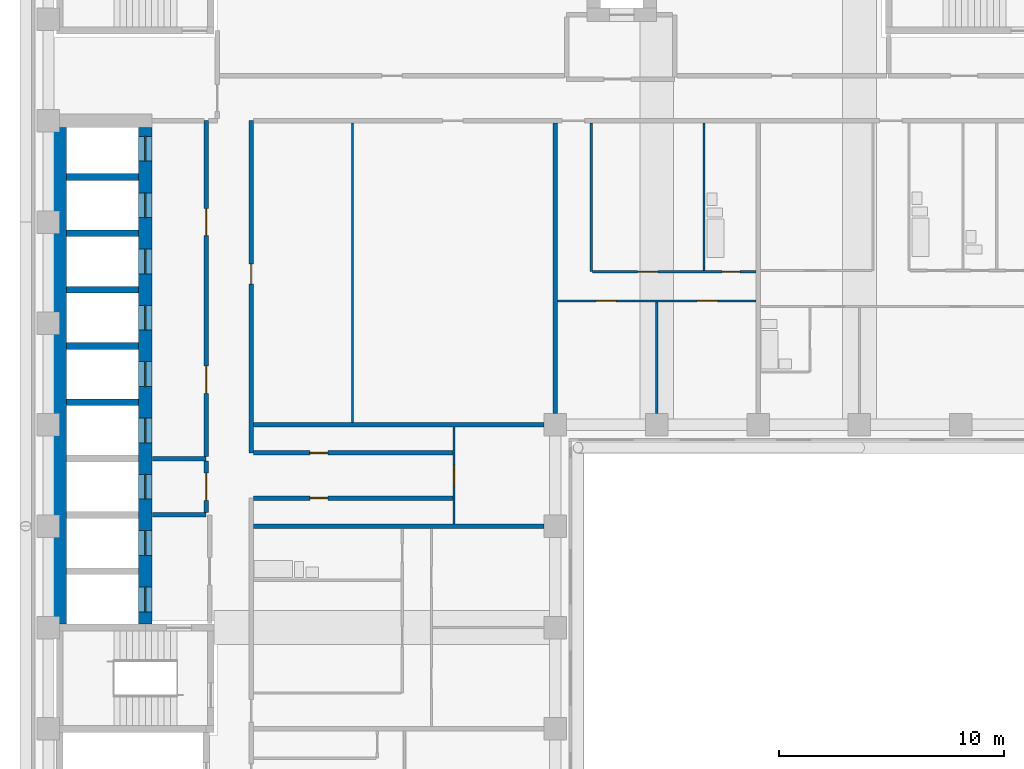
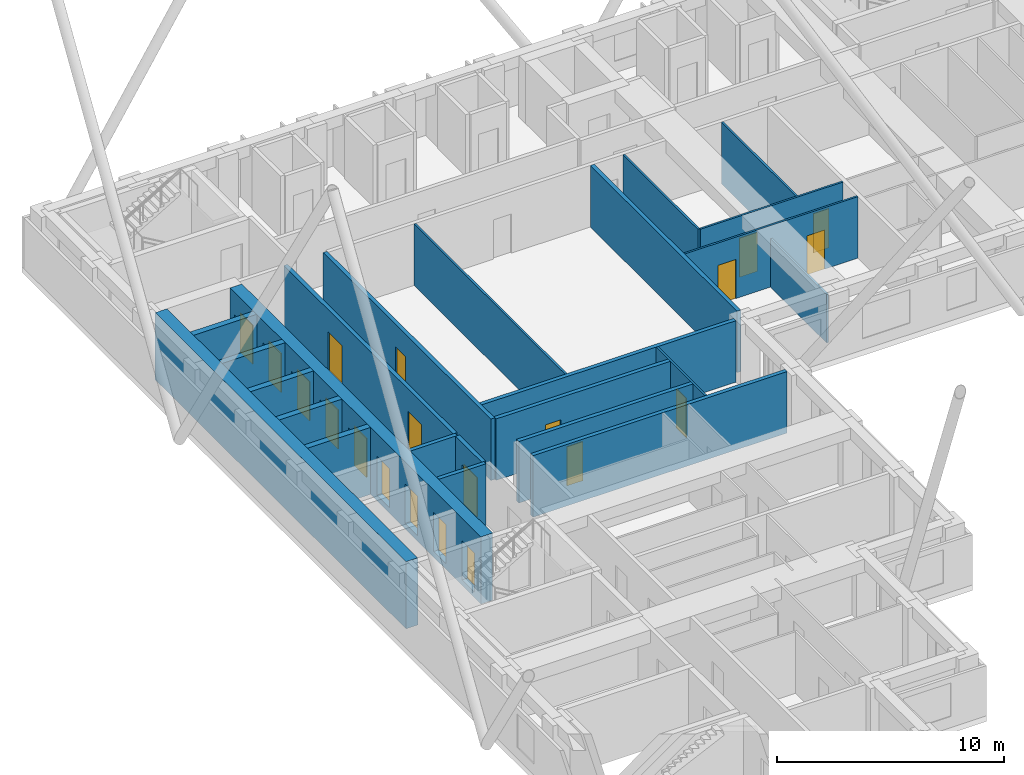
# One storey, part 5 of 13: 24 walls, 20 doors, 20 openings.
"""IFC4 building model written with IfcOpenShell, lengths in metres."""

from ifc_helpers import new_model, si_unit, direction, frame, frame_2d, origin, place, context, subcontext, project, spatial, rectangle, extrude, material, layer, layer_set, type_object, element, fill, save


model = new_model("IFC4")

# Units and contexts
model_context = context("Model", 3, precision=1e-05, world=origin(), true_north=direction((0.0, 1.0)))
body_context = subcontext(model_context, "Body", "Model", "MODEL_VIEW")
ifc_project = project(units=[si_unit("LENGTHUNIT", "METRE"), si_unit("AREAUNIT", "SQUARE_METRE"), si_unit("VOLUMEUNIT", "CUBIC_METRE"), si_unit("PLANEANGLEUNIT", "RADIAN"), si_unit("MASSUNIT", "GRAM", prefix="KILO")], contexts=[model_context])

# Site, building, storey
site_placement = place(None, origin())
site = spatial("IfcSite", under=ifc_project, at=site_placement, CompositionType="ELEMENT")
building_placement = place(site_placement, origin())
building = spatial("IfcBuilding", under=site, at=building_placement, Name="Firuza Court", CompositionType="ELEMENT")
storey_placement = place(building_placement, frame((0.0, 0.0, 119.60009765625)))
storey = spatial("IfcBuildingStorey", under=building, at=storey_placement, Name="L29", CompositionType="ELEMENT", Elevation=119.60009765625)

# Walls
ifc_material_1 = material(Name="Moisture-resistant gypsum board partition")
ifc_layer_1 = layer(ifc_material_1, 0.10009765625)
ifc_layer_set_1 = layer_set([ifc_layer_1], Name="Moisture-resistant gypsum board partition")
wall_type_1 = type_object("IfcWallType", Name="Bathroom partition 100", PredefinedType="PLUMBINGWALL", material=ifc_layer_set_1)
wall_1_placement = place(storey_placement, frame((29.10009765625, 42.85009765625, 0.0), z_axis=(0.0, 0.0, 1.0), x_axis=(0.0, 1.0, 0.0)))
element("IfcWall", 1, at=wall_1_placement, inside=storey, type_object=wall_type_1, Name="Bathroom partition 100 L29", PredefinedType="PLUMBINGWALL", context=body_context, shape_type="SweptSolid", body=[
    extrude(rectangle(XDim=6.5498046875, YDim=0.10009765625, at=frame_2d((3.27490234375, 0.0))), origin(), (0.0, 0.0, 1.0), 3.2998046875),
])
ifc_material_2 = material(Name="Concrete C60/75", Category="concrete")
ifc_layer_2 = layer(ifc_material_2, 0.300048828125)
ifc_layer_set_2 = layer_set([ifc_layer_2], Name="Concrete C60/75")
wall_type_2 = type_object("IfcWallType", Name="Core wall 300 C60/75", PredefinedType="SHEAR", material=ifc_layer_set_2)
for number, where, z_axis, x_axis, name in (
    (2, (0.800048828125, 37.0, -0.300048828125), (0.0, 0.0, 1.0), (1.0, 0.0, 0.0), "Core wall lift shaft L29"),
    (3, (0.800048828125, 39.5, -0.300048828125), (0.0, 0.0, 1.0), (1.0, 0.0, 0.0), "Core wall lift shaft L29"),
    (4, (0.800048828125, 42.0, -0.300048828125), (0.0, 0.0, 1.0), (1.0, 0.0, 0.0), "Core wall lift shaft L29"),
    (5, (0.800048828125, 44.5, -0.300048828125), (0.0, 0.0, 1.0), (1.0, 0.0, 0.0), "Core wall lift shaft L29"),
    (6, (0.800048828125, 47.0, -0.300048828125), (0.0, 0.0, 1.0), (1.0, 0.0, 0.0), "Core wall lift shaft L29"),
):
    element("IfcWall", number, at=place(storey_placement, frame(where, z_axis=z_axis, x_axis=x_axis)), inside=storey, type_object=wall_type_2, Name=name, PredefinedType="SHEAR", context=body_context, shape_type="SweptSolid", body=[
        extrude(rectangle(XDim=3.199951171875, YDim=0.300048828125, at=frame_2d((1.60009765625, 0.0))), origin(), (0.0, 0.0, 1.0), 3.599853515625),
    ])
ifc_layer_3 = layer(ifc_material_2, 0.60009765625)
ifc_layer_set_3 = layer_set([ifc_layer_3], Name="Concrete C60/75")
wall_type_3 = type_object("IfcWallType", Name="Core wall 600 C60/75", PredefinedType="SHEAR", material=ifc_layer_set_3)
wall_2_placement = place(storey_placement, frame((0.5, 27.14990234375, -0.300048828125), z_axis=(0.0, 0.0, 1.0), x_axis=(0.0, 1.0, 0.0)))
element("IfcWall", 7, at=wall_2_placement, inside=storey, type_object=wall_type_3, Name="Core wall lift shaft L29", PredefinedType="SHEAR", context=body_context, shape_type="SweptSolid", body=[
    extrude(rectangle(XDim=22.050048828125, YDim=0.60009765625, at=frame_2d((11.02490234375, 0.0))), origin(), (0.0, 0.0, 1.0), 3.599853515625),
])

# Wall, openings, doors
wall_3_placement = place(storey_placement, frame((4.300048828125, 27.14990234375, -0.300048828125), z_axis=(0.0, 0.0, 1.0), x_axis=(0.0, 1.0, 0.0)))
wall_3 = element("IfcWall", 8, at=wall_3_placement, inside=storey, type_object=wall_type_3, Name="Core wall lift shaft L29", PredefinedType="SHEAR", context=body_context, shape_type="SweptSolid", body=[
    extrude(rectangle(XDim=22.050048828125, YDim=0.60009765625, at=frame_2d((11.02490234375, 0.0))), origin(), (0.0, 0.0, 1.0), 3.599853515625),
])
opening_1_placement = place(wall_3_placement, frame((3.050048828125, 0.0, 0.300048828125)))
opening_1 = element("IfcOpeningElement", 9, at=opening_1_placement, cuts=wall_3, Name="Opening LD-FL1-29", PredefinedType="OPENING", context=body_context, shape_type="SweptSolid", body=[
    extrude(rectangle(XDim=1.10009765625, YDim=2.10009765625, at=frame_2d((0.550048828125, 1.050048828125))), frame((0.0, 0.31201171875, 0.0), z_axis=(0.0, -1.0, 0.0), x_axis=(1.0, 0.0, 0.0)), (0.0, 0.0, 1.0), 0.6240234375),
])
opening_2_placement = place(wall_3_placement, frame((0.550048828125, 0.0, 0.300048828125)))
opening_2 = element("IfcOpeningElement", 10, at=opening_2_placement, cuts=wall_3, Name="Opening LD-FL2-29", PredefinedType="OPENING", context=body_context, shape_type="SweptSolid", body=[
    extrude(rectangle(XDim=1.10009765625, YDim=2.10009765625, at=frame_2d((0.550048828125, 1.050048828125))), frame((0.0, 0.31201171875, 0.0), z_axis=(0.0, -1.0, 0.0), x_axis=(1.0, 0.0, 0.0)), (0.0, 0.0, 1.0), 0.6240234375),
])
opening_3_placement = place(wall_3_placement, frame((20.550048828125, 0.0, 0.300048828125)))
opening_3 = element("IfcOpeningElement", 11, at=opening_3_placement, cuts=wall_3, Name="Opening LD-HB1-29", PredefinedType="OPENING", context=body_context, shape_type="SweptSolid", body=[
    extrude(rectangle(XDim=1.10009765625, YDim=2.10009765625, at=frame_2d((0.550048828125, 1.050048828125))), frame((0.0, 0.31201171875, 0.0), z_axis=(0.0, -1.0, 0.0), x_axis=(1.0, 0.0, 0.0)), (0.0, 0.0, 1.0), 0.6240234375),
])
opening_4_placement = place(wall_3_placement, frame((18.050048828125, 0.0, 0.300048828125)))
opening_4 = element("IfcOpeningElement", 12, at=opening_4_placement, cuts=wall_3, Name="Opening LD-HB2-29", PredefinedType="OPENING", context=body_context, shape_type="SweptSolid", body=[
    extrude(rectangle(XDim=1.10009765625, YDim=2.10009765625, at=frame_2d((0.550048828125, 1.050048828125))), frame((0.0, 0.31201171875, 0.0), z_axis=(0.0, -1.0, 0.0), x_axis=(1.0, 0.0, 0.0)), (0.0, 0.0, 1.0), 0.6240234375),
])
opening_5_placement = place(wall_3_placement, frame((15.550048828125, 0.0, 0.300048828125)))
opening_5 = element("IfcOpeningElement", 13, at=opening_5_placement, cuts=wall_3, Name="Opening LD-HB3-29", PredefinedType="OPENING", context=body_context, shape_type="SweptSolid", body=[
    extrude(rectangle(XDim=1.10009765625, YDim=2.10009765625, at=frame_2d((0.550048828125, 1.050048828125))), frame((0.0, 0.31201171875, 0.0), z_axis=(0.0, -1.0, 0.0), x_axis=(1.0, 0.0, 0.0)), (0.0, 0.0, 1.0), 0.6240234375),
])
opening_6_placement = place(wall_3_placement, frame((13.050048828125, 0.0, 0.300048828125)))
opening_6 = element("IfcOpeningElement", 14, at=opening_6_placement, cuts=wall_3, Name="Opening LD-HB4-29", PredefinedType="OPENING", context=body_context, shape_type="SweptSolid", body=[
    extrude(rectangle(XDim=1.10009765625, YDim=2.10009765625, at=frame_2d((0.550048828125, 1.050048828125))), frame((0.0, 0.31201171875, 0.0), z_axis=(0.0, -1.0, 0.0), x_axis=(1.0, 0.0, 0.0)), (0.0, 0.0, 1.0), 0.6240234375),
])
opening_7_placement = place(wall_3_placement, frame((10.550048828125, 0.0, 0.300048828125)))
opening_7 = element("IfcOpeningElement", 15, at=opening_7_placement, cuts=wall_3, Name="Opening LD-HB5-29", PredefinedType="OPENING", context=body_context, shape_type="SweptSolid", body=[
    extrude(rectangle(XDim=1.10009765625, YDim=2.10009765625, at=frame_2d((0.550048828125, 1.050048828125))), frame((0.0, 0.31201171875, 0.0), z_axis=(0.0, -1.0, 0.0), x_axis=(1.0, 0.0, 0.0)), (0.0, 0.0, 1.0), 0.6240234375),
])
opening_8_placement = place(wall_3_placement, frame((8.050048828125, 0.0, 0.300048828125)))
opening_8 = element("IfcOpeningElement", 16, at=opening_8_placement, cuts=wall_3, Name="Opening LD-HB6-29", PredefinedType="OPENING", context=body_context, shape_type="SweptSolid", body=[
    extrude(rectangle(XDim=1.10009765625, YDim=2.10009765625, at=frame_2d((0.550048828125, 1.050048828125))), frame((0.0, 0.31201171875, 0.0), z_axis=(0.0, -1.0, 0.0), x_axis=(1.0, 0.0, 0.0)), (0.0, 0.0, 1.0), 0.6240234375),
])
opening_9_placement = place(wall_3_placement, frame((5.550048828125, 0.0, 0.300048828125)))
opening_9 = element("IfcOpeningElement", 17, at=opening_9_placement, cuts=wall_3, Name="Opening LD-SL1-29", PredefinedType="OPENING", context=body_context, shape_type="SweptSolid", body=[
    extrude(rectangle(XDim=1.10009765625, YDim=2.10009765625, at=frame_2d((0.550048828125, 1.050048828125))), frame((0.0, 0.31201171875, 0.0), z_axis=(0.0, -1.0, 0.0), x_axis=(1.0, 0.0, 0.0)), (0.0, 0.0, 1.0), 0.6240234375),
])
ifc_material_3 = material(Name="Stainless steel 1.4301 door leaf", Category="steel")
door_type_1 = type_object("IfcDoorType", Name="Lift landing door 1100", OperationType="SLIDING_TO_LEFT", PredefinedType="DOOR", material=ifc_material_3)
door_1_placement = place(opening_1_placement, origin())
door_1 = element("IfcDoor", 18, at=door_1_placement, inside=storey, type_object=door_type_1, Name="Landing door FL1", OperationType="SLIDING_TO_LEFT", OverallHeight=2.10009765625, OverallWidth=1.10009765625, PredefinedType="DOOR", context=body_context, shape_type="SweptSolid", body=[
    extrude(rectangle(XDim=1.10009765625, YDim=2.10009765625, at=frame_2d((0.550048828125, 1.050048828125))), frame((0.0, 0.02490234375, 0.0), z_axis=(0.0, -1.0, 0.0), x_axis=(1.0, 0.0, 0.0)), (0.0, 0.0, 1.0), 0.050048828125),
])
fill(opening_1, door_1)
door_2_placement = place(opening_2_placement, origin())
door_2 = element("IfcDoor", 19, at=door_2_placement, inside=storey, type_object=door_type_1, Name="Landing door FL2", OperationType="SLIDING_TO_LEFT", OverallHeight=2.10009765625, OverallWidth=1.10009765625, PredefinedType="DOOR", context=body_context, shape_type="SweptSolid", body=[
    extrude(rectangle(XDim=1.10009765625, YDim=2.10009765625, at=frame_2d((0.550048828125, 1.050048828125))), frame((0.0, 0.02490234375, 0.0), z_axis=(0.0, -1.0, 0.0), x_axis=(1.0, 0.0, 0.0)), (0.0, 0.0, 1.0), 0.050048828125),
])
fill(opening_2, door_2)
door_3_placement = place(opening_3_placement, origin())
door_3 = element("IfcDoor", 20, at=door_3_placement, inside=storey, type_object=door_type_1, Name="Landing door HB1", OperationType="SLIDING_TO_LEFT", OverallHeight=2.10009765625, OverallWidth=1.10009765625, PredefinedType="DOOR", context=body_context, shape_type="SweptSolid", body=[
    extrude(rectangle(XDim=1.10009765625, YDim=2.10009765625, at=frame_2d((0.550048828125, 1.050048828125))), frame((0.0, 0.02490234375, 0.0), z_axis=(0.0, -1.0, 0.0), x_axis=(1.0, 0.0, 0.0)), (0.0, 0.0, 1.0), 0.050048828125),
])
fill(opening_3, door_3)
door_4_placement = place(opening_4_placement, origin())
door_4 = element("IfcDoor", 21, at=door_4_placement, inside=storey, type_object=door_type_1, Name="Landing door HB2", OperationType="SLIDING_TO_LEFT", OverallHeight=2.10009765625, OverallWidth=1.10009765625, PredefinedType="DOOR", context=body_context, shape_type="SweptSolid", body=[
    extrude(rectangle(XDim=1.10009765625, YDim=2.10009765625, at=frame_2d((0.550048828125, 1.050048828125))), frame((0.0, 0.02490234375, 0.0), z_axis=(0.0, -1.0, 0.0), x_axis=(1.0, 0.0, 0.0)), (0.0, 0.0, 1.0), 0.050048828125),
])
fill(opening_4, door_4)
door_5_placement = place(opening_5_placement, origin())
door_5 = element("IfcDoor", 22, at=door_5_placement, inside=storey, type_object=door_type_1, Name="Landing door HB3", OperationType="SLIDING_TO_LEFT", OverallHeight=2.10009765625, OverallWidth=1.10009765625, PredefinedType="DOOR", context=body_context, shape_type="SweptSolid", body=[
    extrude(rectangle(XDim=1.10009765625, YDim=2.10009765625, at=frame_2d((0.550048828125, 1.050048828125))), frame((0.0, 0.02490234375, 0.0), z_axis=(0.0, -1.0, 0.0), x_axis=(1.0, 0.0, 0.0)), (0.0, 0.0, 1.0), 0.050048828125),
])
fill(opening_5, door_5)
door_6_placement = place(opening_6_placement, origin())
door_6 = element("IfcDoor", 23, at=door_6_placement, inside=storey, type_object=door_type_1, Name="Landing door HB4", OperationType="SLIDING_TO_LEFT", OverallHeight=2.10009765625, OverallWidth=1.10009765625, PredefinedType="DOOR", context=body_context, shape_type="SweptSolid", body=[
    extrude(rectangle(XDim=1.10009765625, YDim=2.10009765625, at=frame_2d((0.550048828125, 1.050048828125))), frame((0.0, 0.02490234375, 0.0), z_axis=(0.0, -1.0, 0.0), x_axis=(1.0, 0.0, 0.0)), (0.0, 0.0, 1.0), 0.050048828125),
])
fill(opening_6, door_6)
door_7_placement = place(opening_7_placement, origin())
door_7 = element("IfcDoor", 24, at=door_7_placement, inside=storey, type_object=door_type_1, Name="Landing door HB5", OperationType="SLIDING_TO_LEFT", OverallHeight=2.10009765625, OverallWidth=1.10009765625, PredefinedType="DOOR", context=body_context, shape_type="SweptSolid", body=[
    extrude(rectangle(XDim=1.10009765625, YDim=2.10009765625, at=frame_2d((0.550048828125, 1.050048828125))), frame((0.0, 0.02490234375, 0.0), z_axis=(0.0, -1.0, 0.0), x_axis=(1.0, 0.0, 0.0)), (0.0, 0.0, 1.0), 0.050048828125),
])
fill(opening_7, door_7)
door_8_placement = place(opening_8_placement, origin())
door_8 = element("IfcDoor", 25, at=door_8_placement, inside=storey, type_object=door_type_1, Name="Landing door HB6", OperationType="SLIDING_TO_LEFT", OverallHeight=2.10009765625, OverallWidth=1.10009765625, PredefinedType="DOOR", context=body_context, shape_type="SweptSolid", body=[
    extrude(rectangle(XDim=1.10009765625, YDim=2.10009765625, at=frame_2d((0.550048828125, 1.050048828125))), frame((0.0, 0.02490234375, 0.0), z_axis=(0.0, -1.0, 0.0), x_axis=(1.0, 0.0, 0.0)), (0.0, 0.0, 1.0), 0.050048828125),
])
fill(opening_8, door_8)
door_9_placement = place(opening_9_placement, origin())
door_9 = element("IfcDoor", 26, at=door_9_placement, inside=storey, type_object=door_type_1, Name="Landing door SL1", OperationType="SLIDING_TO_LEFT", OverallHeight=2.10009765625, OverallWidth=1.10009765625, PredefinedType="DOOR", context=body_context, shape_type="SweptSolid", body=[
    extrude(rectangle(XDim=1.10009765625, YDim=2.10009765625, at=frame_2d((0.550048828125, 1.050048828125))), frame((0.0, 0.02490234375, 0.0), z_axis=(0.0, -1.0, 0.0), x_axis=(1.0, 0.0, 0.0)), (0.0, 0.0, 1.0), 0.050048828125),
])
fill(opening_9, door_9)

# Wall, opening, door
ifc_material_4 = material(Name="Blockwork, plastered both sides", Category="masonry")
ifc_layer_4 = layer(ifc_material_4, 0.199951171875)
ifc_layer_set_4 = layer_set([ifc_layer_4], Name="Blockwork, plastered both sides")
wall_type_4 = type_object("IfcWallType", Name="Corridor wall 200", PredefinedType="PARTITIONING", material=ifc_layer_set_4)
wall_4_placement = place(storey_placement, frame((9.10009765625, 32.75, 0.0), z_axis=(0.0, 0.0, 1.0), x_axis=(1.0, 0.0, 0.0)))
wall_4 = element("IfcWall", 27, at=wall_4_placement, inside=storey, type_object=wall_type_4, Name="Corridor wall 200 L29", PredefinedType="PARTITIONING", context=body_context, shape_type="SweptSolid", body=[
    extrude(rectangle(XDim=8.849853515625, YDim=0.199951171875, at=frame_2d((4.4248046875, 0.0))), origin(), (0.0, 0.0, 1.0), 3.2998046875),
])
opening_10_placement = place(wall_4_placement, frame((2.5, 0.0, 0.0)))
opening_10 = element("IfcOpeningElement", 28, at=opening_10_placement, cuts=wall_4, Name="Opening D29035", PredefinedType="OPENING", context=body_context, shape_type="SweptSolid", body=[
    extrude(rectangle(XDim=0.800048828125, YDim=2.10009765625, at=frame_2d((0.39990234375, 1.050048828125))), frame((0.0, 0.11181640625, 0.0), z_axis=(0.0, -1.0, 0.0), x_axis=(1.0, 0.0, 0.0)), (0.0, 0.0, 1.0), 0.223876953125),
])
ifc_material_5 = material(Name="Timber door leaf in hardwood frame", Category="wood")
door_type_2 = type_object("IfcDoorType", Name="Room door 800 EI 30", OperationType="SINGLE_SWING_LEFT", PredefinedType="DOOR", material=ifc_material_5)
door_10_placement = place(opening_10_placement, frame((0.800048828125, 0.0, 0.0), z_axis=(0.0, 0.0, 1.0), x_axis=(-1.0, 0.0, 0.0)))
door_10 = element("IfcDoor", 29, at=door_10_placement, inside=storey, type_object=door_type_2, Name="Store door", OperationType="SINGLE_SWING_RIGHT", OverallHeight=2.10009765625, OverallWidth=0.800048828125, PredefinedType="DOOR", context=body_context, shape_type="SweptSolid", body=[
    extrude(rectangle(XDim=0.800048828125, YDim=2.10009765625, at=frame_2d((0.39990234375, 1.050048828125))), frame((0.0, 0.02490234375, 0.0), z_axis=(0.0, -1.0, 0.0), x_axis=(1.0, 0.0, 0.0)), (0.0, 0.0, 1.0), 0.050048828125),
])
fill(opening_10, door_10)

wall_5_placement = place(storey_placement, frame((9.0, 34.75, 0.0), z_axis=(0.0, 0.0, 1.0), x_axis=(0.0, 1.0, 0.0)))
wall_5 = element("IfcWall", 30, at=wall_5_placement, inside=storey, type_object=wall_type_4, Name="Corridor wall 200 L29", PredefinedType="PARTITIONING", context=body_context, shape_type="SweptSolid", body=[
    extrude(rectangle(XDim=14.75, YDim=0.199951171875, at=frame_2d((7.375, 0.0))), origin(), (0.0, 0.0, 1.0), 3.2998046875),
])
opening_11_placement = place(wall_5_placement, frame((7.5, 0.0, 0.0)))
opening_11 = element("IfcOpeningElement", 31, at=opening_11_placement, cuts=wall_5, Name="Opening D29036", PredefinedType="OPENING", context=body_context, shape_type="SweptSolid", body=[
    extrude(rectangle(XDim=0.89990234375, YDim=2.10009765625, at=frame_2d((0.449951171875, 1.050048828125))), frame((0.0, 0.11181640625, 0.0), z_axis=(0.0, -1.0, 0.0), x_axis=(1.0, 0.0, 0.0)), (0.0, 0.0, 1.0), 0.223876953125),
])
ifc_material_6 = material(Name="Timber door leaf in hardwood frame", Category="wood")
door_type_3 = type_object("IfcDoorType", Name="Room door 900 EI 30", OperationType="SINGLE_SWING_LEFT", PredefinedType="DOOR", material=ifc_material_6)
door_11_placement = place(opening_11_placement, origin())
door_11 = element("IfcDoor", 32, at=door_11_placement, inside=storey, type_object=door_type_3, Name="Residents' lounge door", OperationType="SINGLE_SWING_LEFT", OverallHeight=2.10009765625, OverallWidth=0.89990234375, PredefinedType="DOOR", context=body_context, shape_type="SweptSolid", body=[
    extrude(rectangle(XDim=0.89990234375, YDim=2.10009765625, at=frame_2d((0.449951171875, 1.050048828125))), frame((0.0, 0.02490234375, 0.0), z_axis=(0.0, -1.0, 0.0), x_axis=(1.0, 0.0, 0.0)), (0.0, 0.0, 1.0), 0.050048828125),
])
fill(opening_11, door_11)

wall_6_placement = place(storey_placement, frame((9.10009765625, 34.75, 0.0), z_axis=(0.0, 0.0, 1.0), x_axis=(1.0, 0.0, 0.0)))
wall_6 = element("IfcWall", 33, at=wall_6_placement, inside=storey, type_object=wall_type_4, Name="Corridor wall 200 L29", PredefinedType="PARTITIONING", context=body_context, shape_type="SweptSolid", body=[
    extrude(rectangle(XDim=8.849853515625, YDim=0.199951171875, at=frame_2d((4.4248046875, 0.0))), origin(), (0.0, 0.0, 1.0), 3.2998046875),
])
opening_12_placement = place(wall_6_placement, frame((2.5, 0.0, 0.0)))
opening_12 = element("IfcOpeningElement", 34, at=opening_12_placement, cuts=wall_6, Name="Opening D29037", PredefinedType="OPENING", context=body_context, shape_type="SweptSolid", body=[
    extrude(rectangle(XDim=0.800048828125, YDim=2.10009765625, at=frame_2d((0.39990234375, 1.050048828125))), frame((0.0, 0.11181640625, 0.0), z_axis=(0.0, -1.0, 0.0), x_axis=(1.0, 0.0, 0.0)), (0.0, 0.0, 1.0), 0.223876953125),
])
door_12_placement = place(opening_12_placement, origin())
door_12 = element("IfcDoor", 35, at=door_12_placement, inside=storey, type_object=door_type_2, Name="Store door", OperationType="SINGLE_SWING_LEFT", OverallHeight=2.10009765625, OverallWidth=0.800048828125, PredefinedType="DOOR", context=body_context, shape_type="SweptSolid", body=[
    extrude(rectangle(XDim=0.800048828125, YDim=2.10009765625, at=frame_2d((0.39990234375, 1.050048828125))), frame((0.0, 0.02490234375, 0.0), z_axis=(0.0, -1.0, 0.0), x_axis=(1.0, 0.0, 0.0)), (0.0, 0.0, 1.0), 0.050048828125),
])
fill(opening_12, door_12)

ifc_material_7 = material(Name="Timber stud partition, plasterboard both sides", Category="wood")
ifc_layer_5 = layer(ifc_material_7, 0.10009765625)
ifc_layer_set_5 = layer_set([ifc_layer_5], Name="Timber stud partition, plasterboard both sides")
wall_type_5 = type_object("IfcWallType", Name="Partition wall 100", PredefinedType="PARTITIONING", material=ifc_layer_set_5)
wall_7_placement = place(storey_placement, frame((18.0, 31.60009765625, 0.0), z_axis=(0.0, 0.0, 1.0), x_axis=(0.0, 1.0, 0.0)))
wall_7 = element("IfcWall", 36, at=wall_7_placement, inside=storey, type_object=wall_type_5, Name="Partition wall 100 L29", PredefinedType="PARTITIONING", context=body_context, shape_type="SweptSolid", body=[
    extrude(rectangle(XDim=4.2998046875, YDim=0.10009765625, at=frame_2d((2.14990234375, 0.0))), origin(), (0.0, 0.0, 1.0), 3.2998046875),
])
opening_13_placement = place(wall_7_placement, frame((1.699951171875, 0.0, 0.0)))
opening_13 = element("IfcOpeningElement", 37, at=opening_13_placement, cuts=wall_7, Name="Opening D29034", PredefinedType="OPENING", context=body_context, shape_type="SweptSolid", body=[
    extrude(rectangle(XDim=0.89990234375, YDim=2.10009765625, at=frame_2d((0.449951171875, 1.050048828125))), frame((0.0, 0.06201171875, 0.0), z_axis=(0.0, -1.0, 0.0), x_axis=(1.0, 0.0, 0.0)), (0.0, 0.0, 1.0), 0.1240234375),
])
ifc_material_8 = material(Name="Timber door leaf in hardwood frame", Category="wood")
door_type_4 = type_object("IfcDoorType", Name="Room door 900", OperationType="SINGLE_SWING_LEFT", PredefinedType="DOOR", material=ifc_material_8)
door_13_placement = place(opening_13_placement, origin())
door_13 = element("IfcDoor", 38, at=door_13_placement, inside=storey, type_object=door_type_4, Name="Residents' lounge door", OperationType="SINGLE_SWING_LEFT", OverallHeight=2.10009765625, OverallWidth=0.89990234375, PredefinedType="DOOR", context=body_context, shape_type="SweptSolid", body=[
    extrude(rectangle(XDim=0.89990234375, YDim=2.10009765625, at=frame_2d((0.449951171875, 1.050048828125))), frame((0.0, 0.02490234375, 0.0), z_axis=(0.0, -1.0, 0.0), x_axis=(1.0, 0.0, 0.0)), (0.0, 0.0, 1.0), 0.050048828125),
])
fill(opening_13, door_13)

# Walls
wall_8_placement = place(storey_placement, frame((13.5, 36.10009765625, 0.0), z_axis=(0.0, 0.0, 1.0), x_axis=(0.0, 1.0, 0.0)))
element("IfcWall", 39, at=wall_8_placement, inside=storey, type_object=wall_type_5, Name="Partition wall 100 L29", PredefinedType="PARTITIONING", context=body_context, shape_type="SweptSolid", body=[
    extrude(rectangle(XDim=13.2998046875, YDim=0.10009765625, at=frame_2d((6.64990234375, 0.0))), origin(), (0.0, 0.0, 1.0), 3.2998046875),
])
wall_9_placement = place(storey_placement, frame((27.0, 36.5, 0.0), z_axis=(0.0, 0.0, 1.0), x_axis=(0.0, 1.0, 0.0)))
element("IfcWall", 40, at=wall_9_placement, inside=storey, type_object=wall_type_5, Name="Partition wall 100 L29", PredefinedType="PARTITIONING", context=body_context, shape_type="SweptSolid", body=[
    extrude(rectangle(XDim=4.949951171875, YDim=0.10009765625, at=frame_2d((2.47509765625, 0.0))), origin(), (0.0, 0.0, 1.0), 2.599853515625),
])

# Wall, openings, doors
wall_10_placement = place(storey_placement, frame((22.60009765625, 41.5, 0.0), z_axis=(0.0, 0.0, 1.0), x_axis=(1.0, 0.0, 0.0)))
wall_10 = element("IfcWall", 41, at=wall_10_placement, inside=storey, type_object=wall_type_5, Name="Partition wall 100 L29", PredefinedType="PARTITIONING", context=body_context, shape_type="SweptSolid", body=[
    extrude(rectangle(XDim=8.7998046875, YDim=0.10009765625, at=frame_2d((4.39990234375, 0.0))), origin(), (0.0, 0.0, 1.0), 3.2998046875),
])
opening_14_placement = place(wall_10_placement, frame((1.699951171875, 0.0, 0.0)))
opening_14 = element("IfcOpeningElement", 42, at=opening_14_placement, cuts=wall_10, Name="Opening D29050", PredefinedType="OPENING", context=body_context, shape_type="SweptSolid", body=[
    extrude(rectangle(XDim=0.89990234375, YDim=2.10009765625, at=frame_2d((0.449951171875, 1.050048828125))), frame((0.0, 0.06201171875, 0.0), z_axis=(0.0, -1.0, 0.0), x_axis=(1.0, 0.0, 0.0)), (0.0, 0.0, 1.0), 0.1240234375),
])
opening_15_placement = place(wall_10_placement, frame((6.199951171875, 0.0, 0.0)))
opening_15 = element("IfcOpeningElement", 43, at=opening_15_placement, cuts=wall_10, Name="Opening D29051", PredefinedType="OPENING", context=body_context, shape_type="SweptSolid", body=[
    extrude(rectangle(XDim=0.89990234375, YDim=2.10009765625, at=frame_2d((0.449951171875, 1.050048828125))), frame((0.0, 0.06201171875, 0.0), z_axis=(0.0, -1.0, 0.0), x_axis=(1.0, 0.0, 0.0)), (0.0, 0.0, 1.0), 0.1240234375),
])
door_14_placement = place(opening_14_placement, frame((0.89990234375, 0.0, 0.0), z_axis=(0.0, 0.0, 1.0), x_axis=(-1.0, 0.0, 0.0)))
door_14 = element("IfcDoor", 44, at=door_14_placement, inside=storey, type_object=door_type_4, Name="Bedroom door", OperationType="SINGLE_SWING_RIGHT", OverallHeight=2.10009765625, OverallWidth=0.89990234375, PredefinedType="DOOR", context=body_context, shape_type="SweptSolid", body=[
    extrude(rectangle(XDim=0.89990234375, YDim=2.10009765625, at=frame_2d((0.449951171875, 1.050048828125))), frame((0.0, 0.02490234375, 0.0), z_axis=(0.0, -1.0, 0.0), x_axis=(1.0, 0.0, 0.0)), (0.0, 0.0, 1.0), 0.050048828125),
])
fill(opening_14, door_14)
door_15_placement = place(opening_15_placement, frame((0.89990234375, 0.0, 0.0), z_axis=(0.0, 0.0, 1.0), x_axis=(-1.0, 0.0, 0.0)))
door_15 = element("IfcDoor", 45, at=door_15_placement, inside=storey, type_object=door_type_4, Name="Living room door", OperationType="SINGLE_SWING_RIGHT", OverallHeight=2.10009765625, OverallWidth=0.89990234375, PredefinedType="DOOR", context=body_context, shape_type="SweptSolid", body=[
    extrude(rectangle(XDim=0.89990234375, YDim=2.10009765625, at=frame_2d((0.449951171875, 1.050048828125))), frame((0.0, 0.02490234375, 0.0), z_axis=(0.0, -1.0, 0.0), x_axis=(1.0, 0.0, 0.0)), (0.0, 0.0, 1.0), 0.050048828125),
])
fill(opening_15, door_15)

# Wall
wall_11_placement = place(storey_placement, frame((24.10009765625, 42.800048828125, 0.0), z_axis=(0.0, 0.0, 1.0), x_axis=(0.0, 1.0, 0.0)))
element("IfcWall", 46, at=wall_11_placement, inside=storey, type_object=wall_type_5, Name="Partition wall 100 L29", PredefinedType="PARTITIONING", context=body_context, shape_type="SweptSolid", body=[
    extrude(rectangle(XDim=6.599853515625, YDim=0.10009765625, at=frame_2d((3.2998046875, 0.0))), origin(), (0.0, 0.0, 1.0), 3.2998046875),
])

# Wall, openings, doors
wall_12_placement = place(storey_placement, frame((24.14990234375, 42.800048828125, 0.0), z_axis=(0.0, 0.0, 1.0), x_axis=(1.0, 0.0, 0.0)))
wall_12 = element("IfcWall", 47, at=wall_12_placement, inside=storey, type_object=wall_type_5, Name="Partition wall 100 L29", PredefinedType="PARTITIONING", context=body_context, shape_type="SweptSolid", body=[
    extrude(rectangle(XDim=7.25, YDim=0.10009765625, at=frame_2d((3.625, 0.0))), origin(), (0.0, 0.0, 1.0), 3.2998046875),
])
opening_16_placement = place(wall_12_placement, frame((5.75, 0.0, 0.0)))
opening_16 = element("IfcOpeningElement", 48, at=opening_16_placement, cuts=wall_12, Name="Opening D29053", PredefinedType="OPENING", context=body_context, shape_type="SweptSolid", body=[
    extrude(rectangle(XDim=0.800048828125, YDim=2.10009765625, at=frame_2d((0.39990234375, 1.050048828125))), frame((0.0, 0.06201171875, 0.0), z_axis=(0.0, -1.0, 0.0), x_axis=(1.0, 0.0, 0.0)), (0.0, 0.0, 1.0), 0.1240234375),
])
opening_17_placement = place(wall_12_placement, frame((2.0, 0.0, 0.0)))
opening_17 = element("IfcOpeningElement", 49, at=opening_17_placement, cuts=wall_12, Name="Opening D29054", PredefinedType="OPENING", context=body_context, shape_type="SweptSolid", body=[
    extrude(rectangle(XDim=0.89990234375, YDim=2.10009765625, at=frame_2d((0.449951171875, 1.050048828125))), frame((0.0, 0.06201171875, 0.0), z_axis=(0.0, -1.0, 0.0), x_axis=(1.0, 0.0, 0.0)), (0.0, 0.0, 1.0), 0.1240234375),
])
ifc_material_9 = material(Name="Timber door leaf in hardwood frame", Category="wood")
door_type_5 = type_object("IfcDoorType", Name="Bathroom door 800", OperationType="SINGLE_SWING_LEFT", PredefinedType="DOOR", material=ifc_material_9)
door_16_placement = place(opening_16_placement, origin())
door_16 = element("IfcDoor", 50, at=door_16_placement, inside=storey, type_object=door_type_5, Name="Bathroom door", OperationType="SINGLE_SWING_LEFT", OverallHeight=2.10009765625, OverallWidth=0.800048828125, PredefinedType="DOOR", context=body_context, shape_type="SweptSolid", body=[
    extrude(rectangle(XDim=0.800048828125, YDim=2.10009765625, at=frame_2d((0.39990234375, 1.050048828125))), frame((0.0, 0.02490234375, 0.0), z_axis=(0.0, -1.0, 0.0), x_axis=(1.0, 0.0, 0.0)), (0.0, 0.0, 1.0), 0.050048828125),
])
fill(opening_16, door_16)
door_17_placement = place(opening_17_placement, origin())
door_17 = element("IfcDoor", 51, at=door_17_placement, inside=storey, type_object=door_type_4, Name="Kitchen door", OperationType="SINGLE_SWING_LEFT", OverallHeight=2.10009765625, OverallWidth=0.89990234375, PredefinedType="DOOR", context=body_context, shape_type="SweptSolid", body=[
    extrude(rectangle(XDim=0.89990234375, YDim=2.10009765625, at=frame_2d((0.449951171875, 1.050048828125))), frame((0.0, 0.02490234375, 0.0), z_axis=(0.0, -1.0, 0.0), x_axis=(1.0, 0.0, 0.0)), (0.0, 0.0, 1.0), 0.050048828125),
])
fill(opening_17, door_17)

# Walls
ifc_layer_6 = layer(ifc_material_4, 0.199951171875)
ifc_layer_set_6 = layer_set([ifc_layer_6], Name="Blockwork, plastered both sides")
wall_type_6 = type_object("IfcWallType", Name="Party wall 200", PredefinedType="PARTITIONING", material=ifc_layer_set_6)
for number, where, z_axis, x_axis, name in (
    (52, (9.10009765625, 31.5, 0.0), (0.0, 0.0, 1.0), (1.0, 0.0, 0.0), "Party wall 200 L29"),
    (53, (9.10009765625, 36.0, 0.0), (0.0, 0.0, 1.0), (1.0, 0.0, 0.0), "Party wall 200 L29"),
    (54, (22.5, 36.5, 0.0), (0.0, 0.0, 1.0), (0.0, 1.0, 0.0), "Party wall 200 L29"),
):
    element("IfcWall", number, at=place(storey_placement, frame(where, z_axis=z_axis, x_axis=x_axis)), inside=storey, type_object=wall_type_6, Name=name, PredefinedType="PARTITIONING", context=body_context, shape_type="SweptSolid", body=[
        extrude(rectangle(XDim=12.89990234375, YDim=0.199951171875, at=frame_2d((6.449951171875, 0.0))), origin(), (0.0, 0.0, 1.0), 3.2998046875),
    ])
ifc_material_10 = material(Name="Blockwork, fire-rated", Category="masonry")
ifc_layer_7 = layer(ifc_material_10, 0.199951171875)
ifc_layer_set_7 = layer_set([ifc_layer_7], Name="Blockwork, fire-rated")
wall_type_7 = type_object("IfcWallType", Name="Shaft wall 200", PredefinedType="PARTITIONING", material=ifc_layer_set_7)
wall_13_placement = place(storey_placement, frame((4.6201171875, 34.5, 0.0), z_axis=(0.0, 0.0, 1.0), x_axis=(1.0, 0.0, 0.0)))
element("IfcWall", 55, at=wall_13_placement, inside=storey, type_object=wall_type_7, Name="Shaft wall 200 L29", PredefinedType="PARTITIONING", context=body_context, shape_type="SweptSolid", body=[
    extrude(rectangle(XDim=2.3798828125, YDim=0.199951171875, at=frame_2d((1.18994140625, 0.0))), origin(), (0.0, 0.0, 1.0), 3.2998046875),
])

# Wall, openings, doors
wall_14_placement = place(storey_placement, frame((7.0, 34.60009765625, 0.0), z_axis=(0.0, 0.0, 1.0), x_axis=(0.0, 1.0, 0.0)))
wall_14 = element("IfcWall", 56, at=wall_14_placement, inside=storey, type_object=wall_type_7, Name="Shaft wall 200 L29", PredefinedType="PARTITIONING", context=body_context, shape_type="SweptSolid", body=[
    extrude(rectangle(XDim=14.89990234375, YDim=0.199951171875, at=frame_2d((7.449951171875, 0.0))), origin(), (0.0, 0.0, 1.0), 3.2998046875),
])
opening_18_placement = place(wall_14_placement, frame((2.800048828125, 0.0, 0.0)))
opening_18 = element("IfcOpeningElement", 57, at=opening_18_placement, cuts=wall_14, Name="Opening D29004", PredefinedType="OPENING", context=body_context, shape_type="SweptSolid", body=[
    extrude(rectangle(XDim=1.199951171875, YDim=2.10009765625, at=frame_2d((0.60009765625, 1.050048828125))), frame((0.0, 0.11181640625, 0.0), z_axis=(0.0, -1.0, 0.0), x_axis=(1.0, 0.0, 0.0)), (0.0, 0.0, 1.0), 0.223876953125),
])
opening_19_placement = place(wall_14_placement, frame((9.800048828125, 0.0, 0.0)))
opening_19 = element("IfcOpeningElement", 58, at=opening_19_placement, cuts=wall_14, Name="Opening D29005", PredefinedType="OPENING", context=body_context, shape_type="SweptSolid", body=[
    extrude(rectangle(XDim=1.199951171875, YDim=2.10009765625, at=frame_2d((0.60009765625, 1.050048828125))), frame((0.0, 0.11181640625, 0.0), z_axis=(0.0, -1.0, 0.0), x_axis=(1.0, 0.0, 0.0)), (0.0, 0.0, 1.0), 0.223876953125),
])
ifc_material_11 = material(Name="Timber door leaf in hardwood frame", Category="wood")
door_type_6 = type_object("IfcDoorType", Name="Lobby door 1200", OperationType="SINGLE_SWING_LEFT", PredefinedType="DOOR", material=ifc_material_11)
door_18_placement = place(opening_18_placement, origin())
door_18 = element("IfcDoor", 59, at=door_18_placement, inside=storey, type_object=door_type_6, Name="Lobby door", OperationType="SINGLE_SWING_LEFT", OverallHeight=2.10009765625, OverallWidth=1.199951171875, PredefinedType="DOOR", context=body_context, shape_type="SweptSolid", body=[
    extrude(rectangle(XDim=1.199951171875, YDim=2.10009765625, at=frame_2d((0.60009765625, 1.050048828125))), frame((0.0, 0.02490234375, 0.0), z_axis=(0.0, -1.0, 0.0), x_axis=(1.0, 0.0, 0.0)), (0.0, 0.0, 1.0), 0.050048828125),
])
fill(opening_18, door_18)
door_19_placement = place(opening_19_placement, origin())
door_19 = element("IfcDoor", 60, at=door_19_placement, inside=storey, type_object=door_type_6, Name="Lobby door", OperationType="SINGLE_SWING_RIGHT", OverallHeight=2.10009765625, OverallWidth=1.199951171875, PredefinedType="DOOR", context=body_context, shape_type="SweptSolid", body=[
    extrude(rectangle(XDim=1.199951171875, YDim=2.10009765625, at=frame_2d((0.60009765625, 1.050048828125))), frame((0.0, 0.02490234375, 0.0), z_axis=(0.0, -1.0, 0.0), x_axis=(1.0, 0.0, 0.0)), (0.0, 0.0, 1.0), 0.050048828125),
])
fill(opening_19, door_19)

# Wall
wall_15_placement = place(storey_placement, frame((4.6201171875, 32.0, 0.0), z_axis=(0.0, 0.0, 1.0), x_axis=(1.0, 0.0, 0.0)))
element("IfcWall", 61, at=wall_15_placement, inside=storey, type_object=wall_type_7, Name="Shaft wall 200 L29", PredefinedType="PARTITIONING", context=body_context, shape_type="SweptSolid", body=[
    extrude(rectangle(XDim=2.3798828125, YDim=0.199951171875, at=frame_2d((1.18994140625, 0.0))), origin(), (0.0, 0.0, 1.0), 3.2998046875),
])

# Wall, opening, door
wall_16_placement = place(storey_placement, frame((7.0, 32.10009765625, 0.0), z_axis=(0.0, 0.0, 1.0), x_axis=(0.0, 1.0, 0.0)))
wall_16 = element("IfcWall", 62, at=wall_16_placement, inside=storey, type_object=wall_type_7, Name="Shaft wall 200 L29", PredefinedType="PARTITIONING", context=body_context, shape_type="SweptSolid", body=[
    extrude(rectangle(XDim=2.2998046875, YDim=0.199951171875, at=frame_2d((1.14990234375, 0.0))), origin(), (0.0, 0.0, 1.0), 3.2998046875),
])
opening_20_placement = place(wall_16_placement, frame((0.550048828125, 0.0, 0.0)))
opening_20 = element("IfcOpeningElement", 63, at=opening_20_placement, cuts=wall_16, Name="Opening D29008", PredefinedType="OPENING", context=body_context, shape_type="SweptSolid", body=[
    extrude(rectangle(XDim=1.199951171875, YDim=2.10009765625, at=frame_2d((0.60009765625, 1.050048828125))), frame((0.0, 0.11181640625, 0.0), z_axis=(0.0, -1.0, 0.0), x_axis=(1.0, 0.0, 0.0)), (0.0, 0.0, 1.0), 0.223876953125),
])
door_20_placement = place(opening_20_placement, origin())
door_20 = element("IfcDoor", 64, at=door_20_placement, inside=storey, type_object=door_type_6, Name="Lobby door", OperationType="SINGLE_SWING_LEFT", OverallHeight=2.10009765625, OverallWidth=1.199951171875, PredefinedType="DOOR", context=body_context, shape_type="SweptSolid", body=[
    extrude(rectangle(XDim=1.199951171875, YDim=2.10009765625, at=frame_2d((0.60009765625, 1.050048828125))), frame((0.0, 0.02490234375, 0.0), z_axis=(0.0, -1.0, 0.0), x_axis=(1.0, 0.0, 0.0)), (0.0, 0.0, 1.0), 0.050048828125),
])
fill(opening_20, door_20)

save(model, "model.ifc")
